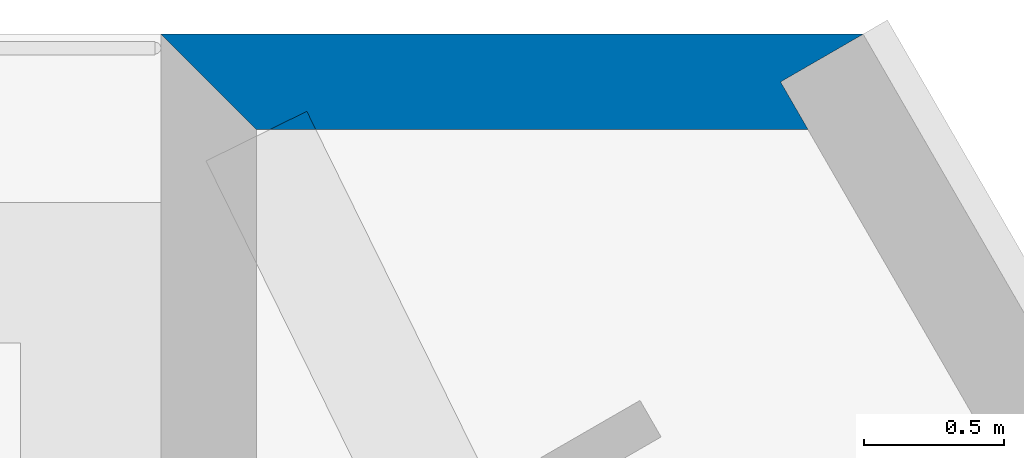
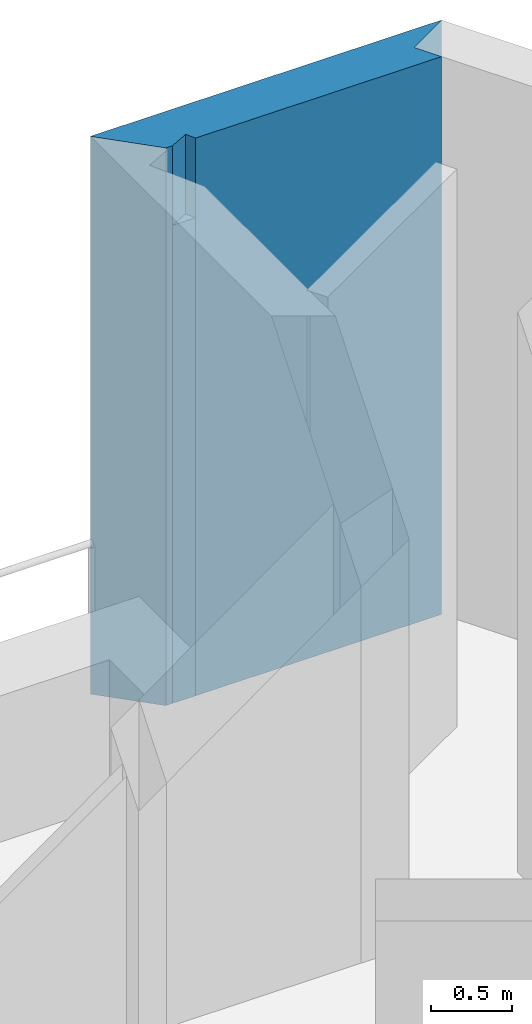
# One storey, part 12 of 14: 2 walls.
"""IFC4 building model written with IfcOpenShell, lengths in metres."""

from ifc_helpers import new_model, si_unit, direction, frame, origin, place, context, subcontext, project, spatial, polyline, outline, extrude, material, layer, layer_set, type_object, element, save


model = new_model("IFC4")

# Units and contexts
model_context = context("Model", 3, precision=1e-05, world=origin(), true_north=direction((0.0, 1.0)))
body_context = subcontext(model_context, "Body", "Model", "MODEL_VIEW")
ifc_project = project(units=[si_unit("LENGTHUNIT", "METRE"), si_unit("AREAUNIT", "SQUARE_METRE"), si_unit("VOLUMEUNIT", "CUBIC_METRE"), si_unit("PLANEANGLEUNIT", "RADIAN"), si_unit("MASSUNIT", "GRAM", prefix="KILO")], contexts=[model_context])

# Site, building, storey
site_placement = place(None, origin())
site = spatial("IfcSite", under=ifc_project, at=site_placement, CompositionType="ELEMENT")
building_placement = place(site_placement, origin())
building = spatial("IfcBuilding", under=site, at=building_placement, Name="Fogline Exchange Tower", CompositionType="ELEMENT")
storey_placement = place(building_placement, frame((0.0, 0.0, 29.5)))
storey = spatial("IfcBuildingStorey", under=building, at=storey_placement, Name="L05", CompositionType="ELEMENT", Elevation=29.5)

# Walls
ifc_material = material(Name="Brick masonry", Category="masonry")
ifc_layer = layer(ifc_material, 0.340087890625)
ifc_layer_set = layer_set([ifc_layer], Name="FW1")
wall_type = type_object("IfcWallType", Name="FW1", PredefinedType="SOLIDWALL", material=ifc_layer_set)
wall_1_placement = place(storey_placement, origin())
element("IfcWall", 1, at=wall_1_placement, inside=storey, type_object=wall_type, Name="Brick wall L05 N-c1", PredefinedType="SOLIDWALL", context=body_context, shape_type="SweptSolid", body=[
    extrude(outline(polyline([(2.386474609375, 55.951171875), (2.51953125, 56.0166015625), (2.5517578125, 55.951171875), (2.386474609375, 55.951171875)])), origin(), (0.0, 0.0, 1.0), 3.60009765625),
])
wall_2_placement = place(storey_placement, origin())
element("IfcWall", 2, at=wall_2_placement, inside=storey, type_object=wall_type, Name="Brick wall L05 N-c1", PredefinedType="SOLIDWALL", context=body_context, shape_type="SweptSolid", body=[
    extrude(outline(polyline([(4.5009765625, 56.292236328125), (4.501220703125, 56.291748046875), (4.206298828125, 56.121337890625), (4.3046875, 55.951171875), (2.5517578125, 55.951171875), (2.51953125, 56.0166015625), (2.386474609375, 55.951171875), (2.33984375, 55.951171875), (1.998779296875, 56.2919921875), (1.9990234375, 56.292236328125), (4.5009765625, 56.292236328125)])), origin(), (0.0, 0.0, 1.0), 4.199951171875),
])

save(model, "model.ifc")
